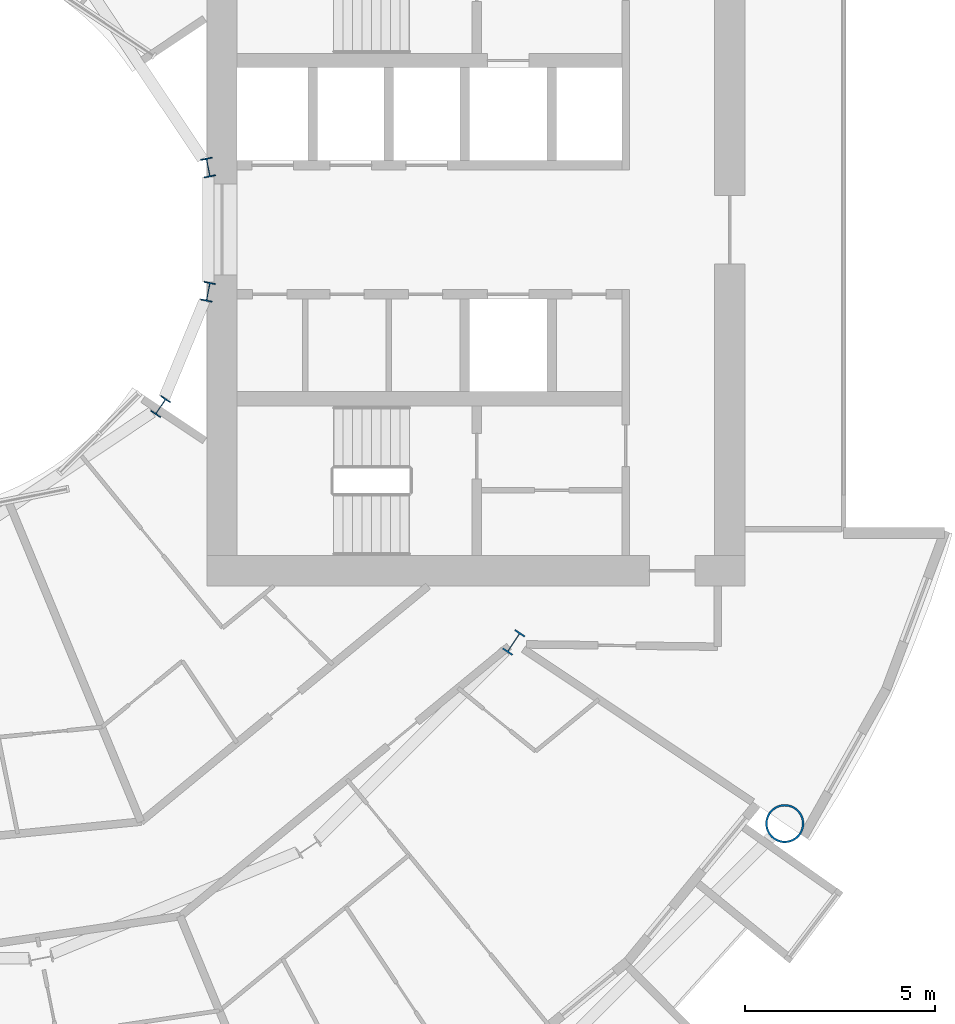
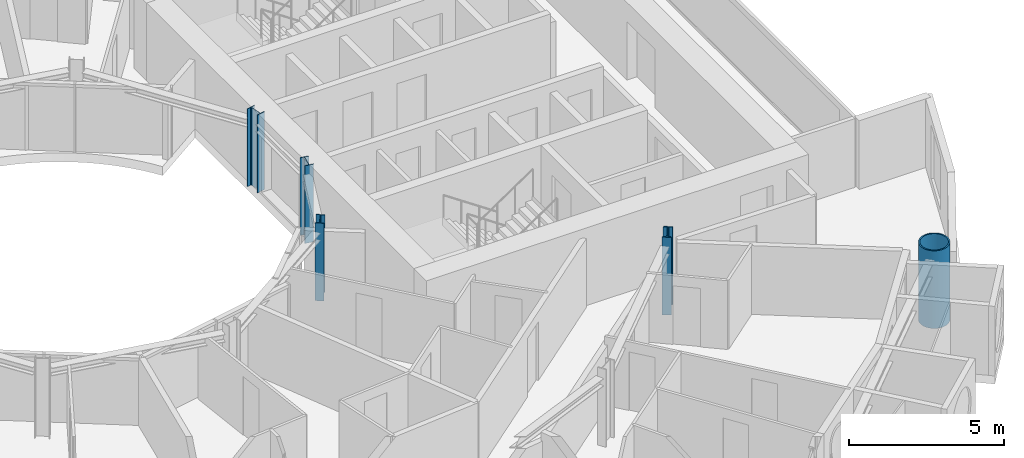
# One storey, part 2 of 26: 5 columns.
"""IFC4 building model written with IfcOpenShell, lengths in metres."""

from ifc_helpers import new_model, si_unit, direction, frame, origin, origin_2d, place, context, subcontext, project, spatial, hollow_circle, i_section, extrude, material, material_profile, profile_set, type_object, element, save


model = new_model("IFC4")

# Units and contexts
model_context = context("Model", 3, precision=1e-05, world=origin(), true_north=direction((0.0, 1.0)))
body_context = subcontext(model_context, "Body", "Model", "MODEL_VIEW")
ifc_project = project(units=[si_unit("LENGTHUNIT", "METRE"), si_unit("AREAUNIT", "SQUARE_METRE"), si_unit("VOLUMEUNIT", "CUBIC_METRE"), si_unit("PLANEANGLEUNIT", "RADIAN"), si_unit("MASSUNIT", "GRAM", prefix="KILO")], contexts=[model_context])

# Site, building, storey
site_placement = place(None, origin())
site = spatial("IfcSite", under=ifc_project, at=site_placement, CompositionType="ELEMENT")
building_placement = place(site_placement, origin())
building = spatial("IfcBuilding", under=site, at=building_placement, Name="Maasbend Ring Residences", CompositionType="ELEMENT")
storey_placement = place(building_placement, frame((0.0, 0.0, 38.050048828125)))
storey = spatial("IfcBuildingStorey", under=building, at=storey_placement, Name="L10", CompositionType="ELEMENT", Elevation=38.050048828125)

# Columns
ifc_material_1 = material(Name="Composite concrete-filled steel tube S460NH / C80/95", Category="concrete")
ifc_material_profile_1 = material_profile(ifc_material_1, hollow_circle(Radius=0.508056640625, WallThickness=0.050048828125, at=origin_2d()), Name="Composite tube column CHS 1016x50")
ifc_profile_set_1 = profile_set([ifc_material_profile_1], Name="Composite concrete-filled steel tube S460NH / C80/95")
column_type_1 = type_object("IfcColumnType", Name="Composite tube column CHS 1016x50", PredefinedType="COLUMN", material=ifc_profile_set_1)
column_1_placement = place(storey_placement, frame((23.447509765625, -15.6669921875, 0.0), z_axis=(0.0, 0.0, 1.0), x_axis=(1.0, 0.0, 0.0)))
element("IfcColumn", 1, at=column_1_placement, inside=storey, type_object=column_type_1, Name="Outer column R15", PredefinedType="COLUMN", context=body_context, shape_type="SweptSolid", body=[
    extrude(hollow_circle(Radius=0.508056640625, WallThickness=0.050048828125, at=origin_2d()), origin(), (0.0, 0.0, 1.0), 3.050048828125),
])
ifc_material_2 = material(Name="Steel S355J2", Category="steel")
ifc_material_profile_2 = material_profile(ifc_material_2, i_section(OverallWidth=0.300048828125, OverallDepth=0.5, WebThickness=0.014404296875, FlangeThickness=0.028076171875, FilletRadius=0.027099609375, at=origin_2d()), Name="HEB 500")
ifc_profile_set_2 = profile_set([ifc_material_profile_2], Name="Steel S355J2")
column_type_2 = type_object("IfcColumnType", Name="Steel column HEB 500", PredefinedType="COLUMN", material=ifc_profile_set_2)
for number, where, z_axis, x_axis, name in (
    (2, (8.238525390625, 1.638916015625, 0.0), (0.0, 0.0, 1.0), (0.980785280403, 0.195090322016, 0.0), "Well ring column R1"),
    (3, (6.984375, -4.666748046875, 0.0), (0.0, 0.0, 1.0), (0.831469612303, -0.55557023302, 0.0), "Well ring column R15"),
    (4, (8.238525390625, -1.638916015625, 0.0), (0.0, 0.0, 1.0), (0.980785280403, -0.195090322016, 0.0), "Well ring column R16"),
):
    element("IfcColumn", number, at=place(storey_placement, frame(where, z_axis=z_axis, x_axis=x_axis)), inside=storey, type_object=column_type_2, Name=name, PredefinedType="COLUMN", context=body_context, shape_type="SweptSolid", body=[
        extrude(i_section(OverallWidth=0.300048828125, OverallDepth=0.5, WebThickness=0.014404296875, FlangeThickness=0.028076171875, FilletRadius=0.027099609375, at=origin_2d()), origin(), (0.0, 0.0, 1.0), 3.050048828125),
    ])
ifc_material_3 = material(Name="Steel S460M", Category="steel")
ifc_material_profile_3 = material_profile(ifc_material_3, i_section(OverallWidth=0.304931640625, OverallDepth=0.6201171875, WebThickness=0.02099609375, FlangeThickness=0.0400390625, FilletRadius=0.027099609375, at=origin_2d()), Name="HEM 600")
ifc_profile_set_3 = profile_set([ifc_material_profile_3], Name="Steel S460M")
column_type_3 = type_object("IfcColumnType", Name="Steel column HEM 600", PredefinedType="COLUMN", material=ifc_profile_set_3)
column_2_placement = place(storey_placement, frame((16.296875, -10.88916015625, 0.0), z_axis=(0.0, 0.0, 1.0), x_axis=(0.831469612303, -0.55557023302, 0.0)))
element("IfcColumn", 5, at=column_2_placement, inside=storey, type_object=column_type_3, Name="Corridor ring column R15", PredefinedType="COLUMN", context=body_context, shape_type="SweptSolid", body=[
    extrude(i_section(OverallWidth=0.304931640625, OverallDepth=0.6201171875, WebThickness=0.02099609375, FlangeThickness=0.0400390625, FilletRadius=0.027099609375, at=origin_2d()), origin(), (0.0, 0.0, 1.0), 3.050048828125),
])

save(model, "model.ifc")
